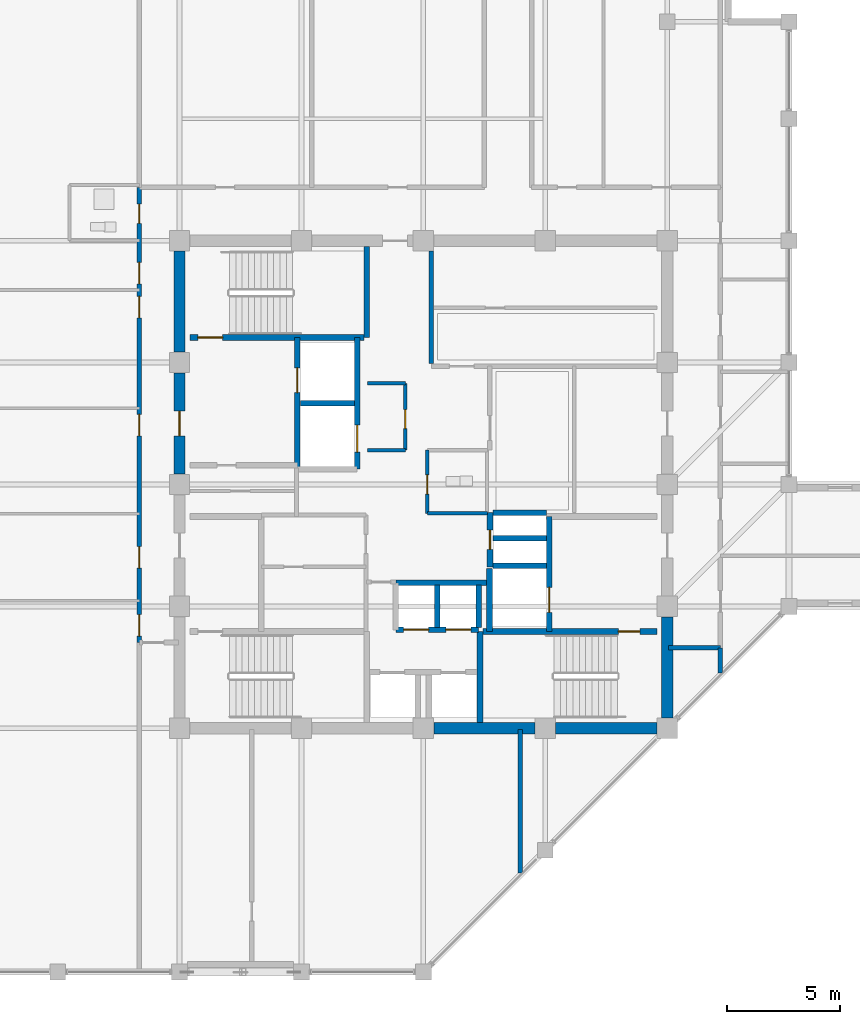
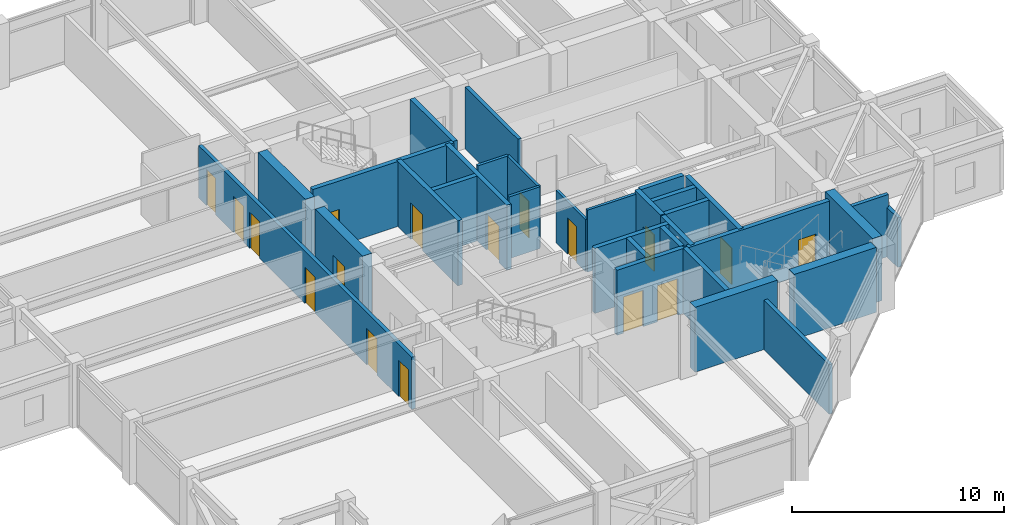
# One storey, part 26 of 31: 32 walls, 17 doors, 17 openings.
"""IFC4 building model written with IfcOpenShell, lengths in metres."""

import ifcopenshell
import ifcopenshell.guid

model = None  # the IFC model being written
_history = None  # IfcOwnerHistory: only IFC2X3 demands one
_inside = {}  # id of a spatial element -> (the spatial element, [elements in it])
_under = {}  # id of a project, library or spatial element -> (it, [spatial elements below it])
_declared = {}  # id of a project -> (the project, [libraries it declares])
_typed = {}  # id of a type object -> (the type object, [elements of that type])
_made_of = {}  # id of a material, layer set ... -> (it, [elements and type objects made of it])


def new_model(schema):
    """Start an empty IFC model of exactly this schema.

    Asked for "IFC4X3", IfcOpenShell would pick the latest addendum, in which some entities
    have other attributes; the version numbers below select the first issue.
    IFC2X3 requires an IfcOwnerHistory on every rooted entity: one is made here for all.
    """
    global model, _history
    if schema == "IFC4X3":
        model = ifcopenshell.file(schema_version=(4, 3, 0, 0))
    else:
        model = ifcopenshell.file(schema=schema)
    _inside.clear()
    _under.clear()
    _declared.clear()
    _typed.clear()
    _made_of.clear()
    _history = None
    if model.schema == "IFC2X3":
        org = make("IfcOrganization", Name="unknown")
        user = make(
            "IfcPersonAndOrganization",
            ThePerson=make("IfcPerson", FamilyName="unknown"),
            TheOrganization=org,
        )
        app = make(
            "IfcApplication",
            ApplicationDeveloper=org,
            Version="unknown",
            ApplicationFullName="unknown",
            ApplicationIdentifier="unknown",
        )
        _history = make(
            "IfcOwnerHistory",
            OwningUser=user,
            OwningApplication=app,
            ChangeAction="ADDED",
            CreationDate=0,
        )
    return model


def make(cls, **values):
    """One entity of the class cls with the attributes given. An attribute that is None is left unset."""
    return model.create_entity(
        cls, **{name: value for name, value in values.items() if value is not None}
    )


def rooted(cls, **values):
    """An entity with a GlobalId (a new one), such as an element, a storey or a relation."""
    return make(cls, GlobalId=ifcopenshell.guid.new(), OwnerHistory=_history, **values)


def si_unit(unit_type, name, prefix=None):
    """IfcSIUnit, for example si_unit("LENGTHUNIT", "METRE", prefix="MILLI")."""
    return make("IfcSIUnit", UnitType=unit_type, Prefix=prefix, Name=name)


def assignment(units):
    """IfcUnitAssignment: the units of a project."""
    return None if units is None else make("IfcUnitAssignment", Units=units)


def point(xyz):
    """IfcCartesianPoint."""
    return None if xyz is None else make("IfcCartesianPoint", Coordinates=xyz)


def direction(xyz):
    """IfcDirection."""
    return None if xyz is None else make("IfcDirection", DirectionRatios=xyz)


def frame(location, z_axis=None, x_axis=None):
    """IfcAxis2Placement3D, a coordinate frame: its origin and axes. An axis left out is left unset."""
    return make(
        "IfcAxis2Placement3D",
        Location=point(location),
        Axis=direction(z_axis),
        RefDirection=direction(x_axis),
    )


def frame_2d(location, x_axis=None):
    """IfcAxis2Placement2D, a coordinate frame in the plane: its origin and x axis."""
    return make(
        "IfcAxis2Placement2D", Location=point(location), RefDirection=direction(x_axis)
    )


def origin():
    """The frame at (0, 0, 0) with its axes left unset."""
    return frame((0.0, 0.0, 0.0))


def place(relative_to, where):
    """IfcLocalPlacement: puts the frame where relative to a parent placement (None: the world)."""
    return make(
        "IfcLocalPlacement", PlacementRelTo=relative_to, RelativePlacement=where
    )


def context(
    kind, dimensions, precision=None, world=None, true_north=None, identifier=None
):
    """IfcGeometricRepresentationContext, for example the 3D "Model" context."""
    return make(
        "IfcGeometricRepresentationContext",
        ContextIdentifier=identifier,
        ContextType=kind,
        CoordinateSpaceDimension=dimensions,
        Precision=precision,
        WorldCoordinateSystem=world,
        TrueNorth=true_north,
    )


def subcontext(parent, identifier, kind, view, scale=None):
    """IfcGeometricRepresentationSubContext, for example "Body" below "Model"."""
    return make(
        "IfcGeometricRepresentationSubContext",
        ContextIdentifier=identifier,
        ContextType=kind,
        ParentContext=parent,
        TargetScale=scale,
        TargetView=view,
    )


def project(units=None, contexts=None):
    """IfcProject with its units and contexts."""
    return rooted(
        "IfcProject",
        Name="project",
        RepresentationContexts=contexts,
        UnitsInContext=assignment(units),
    )


def spatial(cls, under=None, at=None, **own):
    """A site, building, storey or space (cls), placed at a placement, below another one or the project."""
    s = rooted(cls, ObjectPlacement=at, **own)
    if under is not None:
        _under.setdefault(under.id(), (under, []))[1].append(s)
    return s


def profile(cls, at=None, kind="AREA", **sizes):
    """A parametric profile (cls). Its sizes go by their IFC names, for example OverallWidth=200.0."""
    return make(cls, ProfileType=kind, Position=at, **sizes)


def rectangle(**sizes):
    """IfcRectangleProfileDef."""
    return profile("IfcRectangleProfileDef", **sizes)


def extrude(swept, where, along, depth):
    """IfcExtrudedAreaSolid: the profile swept, set in the frame where, extruded along a direction by depth."""
    return make(
        "IfcExtrudedAreaSolid",
        SweptArea=swept,
        Position=where,
        ExtrudedDirection=direction(along),
        Depth=depth,
    )


def shape(context_of_items, identifier, shape_type, items):
    """IfcShapeRepresentation: the items that make up one representation, for example the "Body"."""
    return make(
        "IfcShapeRepresentation",
        ContextOfItems=context_of_items,
        RepresentationIdentifier=identifier,
        RepresentationType=shape_type,
        Items=items,
    )


def material(Name=None, Category=None):
    """IfcMaterial."""
    return make("IfcMaterial", Name=Name, Category=Category)


def layer(
    of_material, thickness, ventilated=None, Name=None, Category=None, Priority=None
):
    """IfcMaterialLayer: one layer of a wall or slab, of a material (None: an air gap)."""
    return make(
        "IfcMaterialLayer",
        Material=of_material,
        LayerThickness=thickness,
        IsVentilated=ventilated,
        Name=Name,
        Category=Category,
        Priority=Priority,
    )


def layer_set(layers, Name=None):
    """IfcMaterialLayerSet."""
    return make("IfcMaterialLayerSet", MaterialLayers=layers, LayerSetName=Name)


def made_of(thing, what):
    """Note that an element or type object is made of a material, layer set ...; save() writes the relation."""
    if what is not None:
        _made_of.setdefault(what.id(), (what, []))[1].append(thing)
    return thing


def type_object(cls, material=None, **own):
    """A type object (cls), such as IfcWallType, which elements share."""
    return made_of(rooted(cls, **own), material)


def element(
    cls,
    number,
    at=None,
    inside=None,
    cuts=None,
    type_object=None,
    material=None,
    context=None,
    identifier="Body",
    shape_type=None,
    held_by="IfcProductDefinitionShape",
    body=None,
    shapes=None,
    **own,
):
    """One element of the class cls, such as IfcWall. Its Tag is "e" and its number.

    at: its placement. inside: the storey or other place that contains it. cuts: it is an
    opening in that element (IfcRelVoidsElement). A single representation is given by context,
    identifier, shape_type and body (its items); several are given by shapes. held_by: the class
    of the entity that holds the representations. save() writes the other relations.
    """
    e = rooted(cls, Tag="e%d" % number, ObjectPlacement=at, **own)
    if body is not None:
        shapes = [shape(context, identifier, shape_type, body)]
    if shapes is not None:
        e.Representation = make(held_by, Representations=shapes)
    if inside is not None:
        _inside.setdefault(inside.id(), (inside, []))[1].append(e)
    if cuts is not None:
        rooted(
            "IfcRelVoidsElement", RelatingBuildingElement=cuts, RelatedOpeningElement=e
        )
    if type_object is not None:
        _typed.setdefault(type_object.id(), (type_object, []))[1].append(e)
    return made_of(e, material)


def fill(opening, filler):
    """IfcRelFillsElement: the door or window that sits in an opening."""
    return rooted(
        "IfcRelFillsElement",
        RelatingOpeningElement=opening,
        RelatedBuildingElement=filler,
    )


def aggregate(whole, parts):
    """IfcRelAggregates: a whole, such as a stair, and the parts it consists of."""
    return rooted("IfcRelAggregates", RelatingObject=whole, RelatedObjects=parts)


def save(model, path):
    """Write the relations noted so far, then the file.

    IfcRelAggregates (storeys below a building ...), IfcRelContainedInSpatialStructure (elements
    in a storey), IfcRelDefinesByType, IfcRelAssociatesMaterial and IfcRelDeclares: one each for
    every whole, place, type object, material and project.
    """
    for whole, parts in _under.values():
        aggregate(whole, parts)
    for where, things in _inside.values():
        rooted(
            "IfcRelContainedInSpatialStructure",
            RelatedElements=things,
            RelatingStructure=where,
        )
    for kind, things in _typed.values():
        rooted("IfcRelDefinesByType", RelatedObjects=things, RelatingType=kind)
    for what, things in _made_of.values():
        rooted("IfcRelAssociatesMaterial", RelatedObjects=things, RelatingMaterial=what)
    for by, libraries in _declared.values():
        rooted("IfcRelDeclares", RelatingContext=by, RelatedDefinitions=libraries)
    model.write(path)


model = new_model("IFC4")

# Units and contexts
model_context = context("Model", 3, precision=1e-05, world=origin(), true_north=direction((0.0, 1.0)))
body_context = subcontext(model_context, "Body", "Model", "MODEL_VIEW")
ifc_project = project(units=[si_unit("LENGTHUNIT", "METRE"), si_unit("AREAUNIT", "SQUARE_METRE"), si_unit("VOLUMEUNIT", "CUBIC_METRE"), si_unit("PLANEANGLEUNIT", "RADIAN"), si_unit("MASSUNIT", "GRAM", prefix="KILO")], contexts=[model_context])

# Site, building, storey
site_placement = place(None, origin())
site = spatial("IfcSite", under=ifc_project, at=site_placement, CompositionType="ELEMENT")
building_placement = place(site_placement, origin())
building = spatial("IfcBuilding", under=site, at=building_placement, Name="Surkhivell Harbour Commons", CompositionType="ELEMENT")
storey_placement = place(building_placement, frame((0.0, 0.0, 322.5)))
storey = spatial("IfcBuildingStorey", under=building, at=storey_placement, Name="L84", CompositionType="ELEMENT", Elevation=322.5)

# Walls
ifc_material_1 = material(Name="Concrete C50/60", Category="concrete")
ifc_layer_1 = layer(ifc_material_1, 0.5)
ifc_layer_set_1 = layer_set([ifc_layer_1], Name="Concrete C50/60")
wall_type_1 = type_object("IfcWallType", Name="WAL-CORE-500", PredefinedType="SHEAR", material=ifc_layer_set_1)
for number, where, z_axis, x_axis, name in (
    (1, (10.800048828125, -10.340087890625, 0.0), (0.0, 0.0, 1.0), (0.0, 1.0, 0.0), "L84 Core Shear Wall East 1"),
    (2, (0.4599609375, -10.800048828125, 0.0), (0.0, 0.0, 1.0), (1.0, 0.0, 0.0), "L84 Core Shear Wall South 3"),
):
    element("IfcWall", number, at=place(storey_placement, frame(where, z_axis=z_axis, x_axis=x_axis)), inside=storey, type_object=wall_type_1, Name=name, PredefinedType="SHEAR", context=body_context, shape_type="SweptSolid", body=[
        extrude(rectangle(XDim=4.47998046875, YDim=0.5, at=frame_2d((2.239990234375, 0.0))), origin(), (0.0, 0.0, 1.0), 3.75),
    ])

# Wall, opening, door
wall_1_placement = place(storey_placement, frame((-10.800048828125, 0.4599609375, 0.0), z_axis=(0.0, 0.0, 1.0), x_axis=(0.0, 1.0, 0.0)))
wall_1 = element("IfcWall", 3, at=wall_1_placement, inside=storey, type_object=wall_type_1, Name="L84 Core Shear Wall West 3", PredefinedType="SHEAR", context=body_context, shape_type="SweptSolid", body=[
    extrude(rectangle(XDim=4.47998046875, YDim=0.5, at=frame_2d((2.239990234375, 0.0))), origin(), (0.0, 0.0, 1.0), 3.75),
])
opening_1_placement = place(wall_1_placement, frame((1.68994140625, 0.0, 0.0)))
opening_1 = element("IfcOpeningElement", 4, at=opening_1_placement, cuts=wall_1, Name="Opening ID-1", PredefinedType="OPENING", context=body_context, shape_type="SweptSolid", body=[
    extrude(rectangle(XDim=1.10009765625, YDim=2.10009765625, at=frame_2d((0.550048828125, 1.050048828125))), frame((0.0, 0.260009765625, 0.0), z_axis=(0.0, -1.0, 0.0), x_axis=(1.0, 0.0, 0.0)), (0.0, 0.0, 1.0), 0.52001953125),
])
ifc_material_2 = material(Name="Hardwood-veneered fire-rated door leaf", Category="wood")
door_type_1 = type_object("IfcDoorType", Name="DOR-FD120-1100", OperationType="NOTDEFINED", PredefinedType="DOOR", material=ifc_material_2)
door_1_placement = place(opening_1_placement, origin())
door_1 = element("IfcDoor", 5, at=door_1_placement, inside=storey, type_object=door_type_1, Name="L84 Firefighting Lobby 1 Corridor Door", OperationType="SINGLE_SWING_LEFT", OverallHeight=2.10009765625, OverallWidth=1.10009765625, PredefinedType="DOOR", context=body_context, shape_type="SweptSolid", body=[
    extrude(rectangle(XDim=1.10009765625, YDim=2.10009765625, at=frame_2d((0.550048828125, 1.050048828125))), frame((0.0, 0.02490234375, 0.0), z_axis=(0.0, -1.0, 0.0), x_axis=(1.0, 0.0, 0.0)), (0.0, 0.0, 1.0), 0.050048828125),
])
fill(opening_1, door_1)

# Walls
for number, where, z_axis, x_axis, name in (
    (6, (5.860107421875, -10.800048828125, 0.0), (0.0, 0.0, 1.0), (1.0, 0.0, 0.0), "L84 Core Shear Wall South 4"),
    (7, (-10.800048828125, 5.860107421875, 0.0), (0.0, 0.0, 1.0), (0.0, 1.0, 0.0), "L84 Core Shear Wall West 4"),
):
    element("IfcWall", number, at=place(storey_placement, frame(where, z_axis=z_axis, x_axis=x_axis)), inside=storey, type_object=wall_type_1, Name=name, PredefinedType="SHEAR", context=body_context, shape_type="SweptSolid", body=[
        extrude(rectangle(XDim=4.47998046875, YDim=0.5, at=frame_2d((2.239990234375, 0.0))), origin(), (0.0, 0.0, 1.0), 3.75),
    ])
ifc_material_3 = material(Name="Twin-stud acoustic fireboard partition", Category="other")
ifc_layer_2 = layer(ifc_material_3, 0.14990234375)
ifc_layer_set_2 = layer_set([ifc_layer_2], Name="Twin-stud acoustic fireboard partition")
wall_type_2 = type_object("IfcWallType", Name="WAL-INT-150", PredefinedType="PARTITIONING", material=ifc_layer_set_2)
wall_2_placement = place(storey_placement, frame((0.179931640625, -1.280029296875, 0.0), z_axis=(0.0, 0.0, 1.0), x_axis=(1.0, 0.0, 0.0)))
element("IfcWall", 8, at=wall_2_placement, inside=storey, type_object=wall_type_2, Name="L84 Core WC South Wall", PredefinedType="PARTITIONING", context=body_context, shape_type="SweptSolid", body=[
    extrude(rectangle(XDim=2.670166015625, YDim=0.14990234375, at=frame_2d((1.3349609375, 0.0))), origin(), (0.0, 0.0, 1.0), 3.570068359375),
])

# Wall, opening, door
wall_3_placement = place(storey_placement, frame((0.179931640625, -1.280029296875, 0.0), z_axis=(0.0, 0.0, 1.0), x_axis=(0.0, 1.0, 0.0)))
wall_3 = element("IfcWall", 9, at=wall_3_placement, inside=storey, type_object=wall_type_2, Name="L84 Core Accessible WC West Wall", PredefinedType="PARTITIONING", context=body_context, shape_type="SweptSolid", body=[
    extrude(rectangle(XDim=2.800048828125, YDim=0.14990234375, at=frame_2d((1.39990234375, 0.0))), origin(), (0.0, 0.0, 1.0), 3.012939453125),
])
opening_2_placement = place(wall_3_placement, frame((0.85009765625, 0.0, 0.0)))
opening_2 = element("IfcOpeningElement", 10, at=opening_2_placement, cuts=wall_3, Name="Opening ID-6", PredefinedType="OPENING", context=body_context, shape_type="SweptSolid", body=[
    extrude(rectangle(XDim=0.85009765625, YDim=2.10009765625, at=frame_2d((0.425048828125, 1.050048828125))), frame((0.0, 0.0849609375, 0.0), z_axis=(0.0, -1.0, 0.0), x_axis=(1.0, 0.0, 0.0)), (0.0, 0.0, 1.0), 0.169921875),
])
door_type_2 = type_object("IfcDoorType", Name="DOR-FD30-850", OperationType="NOTDEFINED", PredefinedType="DOOR", material=ifc_material_2)
door_2_placement = place(opening_2_placement, origin())
door_2 = element("IfcDoor", 11, at=door_2_placement, inside=storey, type_object=door_type_2, Name="L84 Floor Accessible WC Door", OperationType="SINGLE_SWING_RIGHT", OverallHeight=2.10009765625, OverallWidth=0.85009765625, PredefinedType="DOOR", context=body_context, shape_type="SweptSolid", body=[
    extrude(rectangle(XDim=0.85009765625, YDim=2.10009765625, at=frame_2d((0.425048828125, 1.050048828125))), frame((0.0, 0.02490234375, 0.0), z_axis=(0.0, -1.0, 0.0), x_axis=(1.0, 0.0, 0.0)), (0.0, 0.0, 1.0), 0.050048828125),
])
fill(opening_2, door_2)

wall_4_placement = place(storey_placement, frame((-0.800048828125, 1.52001953125, 0.0), z_axis=(0.0, 0.0, 1.0), x_axis=(0.0, 1.0, 0.0)))
wall_4 = element("IfcWall", 12, at=wall_4_placement, inside=storey, type_object=wall_type_2, Name="L84 Core Seminar East Wall", PredefinedType="PARTITIONING", context=body_context, shape_type="SweptSolid", body=[
    extrude(rectangle(XDim=2.9599609375, YDim=0.14990234375, at=frame_2d((1.47998046875, 0.0))), origin(), (0.0, 0.0, 1.0), 3.570068359375),
])
opening_3_placement = place(wall_4_placement, frame((0.949951171875, 0.0, 0.0)))
opening_3 = element("IfcOpeningElement", 13, at=opening_3_placement, cuts=wall_4, Name="Opening ID-6", PredefinedType="OPENING", context=body_context, shape_type="SweptSolid", body=[
    extrude(rectangle(XDim=0.85009765625, YDim=2.10009765625, at=frame_2d((0.425048828125, 1.050048828125))), frame((0.0, 0.0849609375, 0.0), z_axis=(0.0, -1.0, 0.0), x_axis=(1.0, 0.0, 0.0)), (0.0, 0.0, 1.0), 0.169921875),
])
door_3_placement = place(opening_3_placement, origin())
door_3 = element("IfcDoor", 14, at=door_3_placement, inside=storey, type_object=door_type_2, Name="L84 Central Seminar Door", OperationType="SINGLE_SWING_LEFT", OverallHeight=2.10009765625, OverallWidth=0.85009765625, PredefinedType="DOOR", context=body_context, shape_type="SweptSolid", body=[
    extrude(rectangle(XDim=0.85009765625, YDim=2.10009765625, at=frame_2d((0.425048828125, 1.050048828125))), frame((0.0, 0.02490234375, 0.0), z_axis=(0.0, -1.0, 0.0), x_axis=(1.0, 0.0, 0.0)), (0.0, 0.0, 1.0), 0.050048828125),
])
fill(opening_3, door_3)

# Walls
for number, where, z_axis, x_axis, name in (
    (15, (-2.47998046875, 4.47998046875, 0.0), (0.0, 0.0, 1.0), (1.0, 0.0, 0.0), "L84 Core Seminar North Wall"),
    (16, (-2.47998046875, 1.52001953125, 0.0), (0.0, 0.0, 1.0), (1.0, 0.0, 0.0), "L84 Core Seminar South Wall"),
):
    element("IfcWall", number, at=place(storey_placement, frame(where, z_axis=z_axis, x_axis=x_axis)), inside=storey, type_object=wall_type_2, Name=name, PredefinedType="PARTITIONING", context=body_context, shape_type="SweptSolid", body=[
        extrude(rectangle(XDim=1.679931640625, YDim=0.14990234375, at=frame_2d((0.83984375, 0.0))), origin(), (0.0, 0.0, 1.0), 3.570068359375),
    ])
ifc_material_4 = material(Name="Autoclaved aerated concrete blockwork and fire plaster", Category="masonry")
ifc_layer_3 = layer(ifc_material_4, 0.199951171875)
ifc_layer_set_3 = layer_set([ifc_layer_3], Name="Autoclaved aerated concrete blockwork and fire plaster")
wall_type_3 = type_object("IfcWallType", Name="WAL-INT-200", PredefinedType="PARTITIONING", material=ifc_layer_set_3)
wall_5_placement = place(storey_placement, frame((0.35009765625, 5.360107421875, 0.0), z_axis=(0.0, 0.0, 1.0), x_axis=(0.0, 1.0, 0.0)))
element("IfcWall", 17, at=wall_5_placement, inside=storey, type_object=wall_type_3, Name="L84 Reclaimed Core North Bay West Wall", PredefinedType="PARTITIONING", context=body_context, shape_type="SweptSolid", body=[
    extrude(rectangle(XDim=4.97998046875, YDim=0.199951171875, at=frame_2d((2.489990234375, 0.0))), origin(), (0.0, 0.0, 1.0), 3.570068359375),
])
wall_6_placement = place(storey_placement, frame((13.159912109375, -8.355224609375, 0.0), z_axis=(0.0, 0.0, 1.0), x_axis=(0.0, 1.0, 0.0)))
element("IfcWall", 18, at=wall_6_placement, inside=storey, type_object=wall_type_3, Name="L84 East Wing South Closure Wall", PredefinedType="PARTITIONING", context=body_context, shape_type="SweptSolid", body=[
    extrude(rectangle(XDim=1.115234375, YDim=0.199951171875, at=frame_2d((0.5576171875, 0.0))), origin(), (0.0, 0.0, 1.0), 2.85693359375),
])
wall_7_placement = place(storey_placement, frame((10.85009765625, -7.239990234375, 0.0), z_axis=(0.0, 0.0, 1.0), x_axis=(1.0, 0.0, 0.0)))
element("IfcWall", 19, at=wall_7_placement, inside=storey, type_object=wall_type_3, Name="L84 East Corridor South Closure Wall", PredefinedType="PARTITIONING", context=body_context, shape_type="SweptSolid", body=[
    extrude(rectangle(XDim=2.309814453125, YDim=0.199951171875, at=frame_2d((1.15478515625, 0.0))), origin(), (0.0, 0.0, 1.0), 3.570068359375),
])
wall_8_placement = place(storey_placement, frame((4.300048828125, -17.215087890625, 0.0), z_axis=(0.0, 0.0, 1.0), x_axis=(0.0, 1.0, 0.0)))
element("IfcWall", 20, at=wall_8_placement, inside=storey, type_object=wall_type_3, Name="L84 South Hall East Wall", PredefinedType="PARTITIONING", context=body_context, shape_type="SweptSolid", body=[
    extrude(rectangle(XDim=6.364990234375, YDim=0.199951171875, at=frame_2d((3.1826171875, 0.0))), origin(), (0.0, 0.0, 1.0), 2.85693359375),
])

# Wall, openings, doors
wall_9_placement = place(storey_placement, frame((-12.580078125, -7.0, 0.0), z_axis=(0.0, 0.0, 1.0), x_axis=(0.0, 1.0, 0.0)))
wall_9 = element("IfcWall", 21, at=wall_9_placement, inside=storey, type_object=wall_type_3, Name="L84 West Corridor Wall", PredefinedType="PARTITIONING", context=body_context, shape_type="SweptSolid", body=[
    extrude(rectangle(XDim=20.159912109375, YDim=0.199951171875, at=frame_2d((10.080078125, 0.0))), origin(), (0.0, 0.0, 1.0), 3.012939453125),
])
opening_4_placement = place(wall_9_placement, frame((0.280029296875, 0.0, 0.0)))
opening_4 = element("IfcOpeningElement", 22, at=opening_4_placement, cuts=wall_9, Name="Opening ID-4", PredefinedType="OPENING", context=body_context, shape_type="SweptSolid", body=[
    extrude(rectangle(XDim=0.949951171875, YDim=2.10009765625, at=frame_2d((0.47509765625, 1.050048828125))), frame((0.0, 0.10986328125, 0.0), z_axis=(0.0, -1.0, 0.0), x_axis=(1.0, 0.0, 0.0)), (0.0, 0.0, 1.0), 0.219970703125),
])
opening_5_placement = place(wall_9_placement, frame((18.56494140625, 0.0, 0.0)))
opening_5 = element("IfcOpeningElement", 23, at=opening_5_placement, cuts=wall_9, Name="Opening ID-6", PredefinedType="OPENING", context=body_context, shape_type="SweptSolid", body=[
    extrude(rectangle(XDim=0.85009765625, YDim=2.10009765625, at=frame_2d((0.425048828125, 1.050048828125))), frame((0.0, 0.10986328125, 0.0), z_axis=(0.0, -1.0, 0.0), x_axis=(1.0, 0.0, 0.0)), (0.0, 0.0, 1.0), 0.219970703125),
])
opening_6_placement = place(wall_9_placement, frame((15.889892578125, 0.0, 0.0)))
opening_6 = element("IfcOpeningElement", 24, at=opening_6_placement, cuts=wall_9, Name="Opening ID-4", PredefinedType="OPENING", context=body_context, shape_type="SweptSolid", body=[
    extrude(rectangle(XDim=0.949951171875, YDim=2.10009765625, at=frame_2d((0.47509765625, 1.050048828125))), frame((0.0, 0.10986328125, 0.0), z_axis=(0.0, -1.0, 0.0), x_axis=(1.0, 0.0, 0.0)), (0.0, 0.0, 1.0), 0.219970703125),
])
opening_7_placement = place(wall_9_placement, frame((3.294921875, 0.0, 0.0)))
opening_7 = element("IfcOpeningElement", 25, at=opening_7_placement, cuts=wall_9, Name="Opening ID-4", PredefinedType="OPENING", context=body_context, shape_type="SweptSolid", body=[
    extrude(rectangle(XDim=0.949951171875, YDim=2.10009765625, at=frame_2d((0.47509765625, 1.050048828125))), frame((0.0, 0.10986328125, 0.0), z_axis=(0.0, -1.0, 0.0), x_axis=(1.0, 0.0, 0.0)), (0.0, 0.0, 1.0), 0.219970703125),
])
opening_8_placement = place(wall_9_placement, frame((9.14990234375, 0.0, 0.0)))
opening_8 = element("IfcOpeningElement", 26, at=opening_8_placement, cuts=wall_9, Name="Opening ID-4", PredefinedType="OPENING", context=body_context, shape_type="SweptSolid", body=[
    extrude(rectangle(XDim=0.949951171875, YDim=2.10009765625, at=frame_2d((0.47509765625, 1.050048828125))), frame((0.0, 0.10986328125, 0.0), z_axis=(0.0, -1.0, 0.0), x_axis=(1.0, 0.0, 0.0)), (0.0, 0.0, 1.0), 0.219970703125),
])
opening_9_placement = place(wall_9_placement, frame((14.3798828125, 0.0, 0.0)))
opening_9 = element("IfcOpeningElement", 27, at=opening_9_placement, cuts=wall_9, Name="Opening ID-4", PredefinedType="OPENING", context=body_context, shape_type="SweptSolid", body=[
    extrude(rectangle(XDim=0.949951171875, YDim=2.10009765625, at=frame_2d((0.47509765625, 1.050048828125))), frame((0.0, 0.10986328125, 0.0), z_axis=(0.0, -1.0, 0.0), x_axis=(1.0, 0.0, 0.0)), (0.0, 0.0, 1.0), 0.219970703125),
])
door_4_placement = place(opening_5_placement, origin())
door_4 = element("IfcDoor", 28, at=door_4_placement, inside=storey, type_object=door_type_2, Name="L84 Communal Shower Bathroom West Door", OperationType="SINGLE_SWING_LEFT", OverallHeight=2.10009765625, OverallWidth=0.85009765625, PredefinedType="DOOR", context=body_context, shape_type="SweptSolid", body=[
    extrude(rectangle(XDim=0.85009765625, YDim=2.10009765625, at=frame_2d((0.425048828125, 1.050048828125))), frame((0.0, 0.02490234375, 0.0), z_axis=(0.0, -1.0, 0.0), x_axis=(1.0, 0.0, 0.0)), (0.0, 0.0, 1.0), 0.050048828125),
])
fill(opening_5, door_4)
door_type_3 = type_object("IfcDoorType", Name="DOR-FD60-950", OperationType="NOTDEFINED", PredefinedType="DOOR", material=ifc_material_2)
door_5_placement = place(opening_4_placement, origin())
door_5 = element("IfcDoor", 29, at=door_5_placement, inside=storey, type_object=door_type_3, Name="L84 Shared Communal Kitchen West Door", OperationType="SINGLE_SWING_RIGHT", OverallHeight=2.10009765625, OverallWidth=0.949951171875, PredefinedType="DOOR", context=body_context, shape_type="SweptSolid", body=[
    extrude(rectangle(XDim=0.949951171875, YDim=2.10009765625, at=frame_2d((0.47509765625, 1.050048828125))), frame((0.0, 0.02490234375, 0.0), z_axis=(0.0, -1.0, 0.0), x_axis=(1.0, 0.0, 0.0)), (0.0, 0.0, 1.0), 0.050048828125),
])
fill(opening_4, door_5)
door_6_placement = place(opening_6_placement, origin())
door_6 = element("IfcDoor", 30, at=door_6_placement, inside=storey, type_object=door_type_3, Name="L84 Academic Reading Commons West Door", OperationType="SINGLE_SWING_RIGHT", OverallHeight=2.10009765625, OverallWidth=0.949951171875, PredefinedType="DOOR", context=body_context, shape_type="SweptSolid", body=[
    extrude(rectangle(XDim=0.949951171875, YDim=2.10009765625, at=frame_2d((0.47509765625, 1.050048828125))), frame((0.0, 0.02490234375, 0.0), z_axis=(0.0, -1.0, 0.0), x_axis=(1.0, 0.0, 0.0)), (0.0, 0.0, 1.0), 0.050048828125),
])
fill(opening_6, door_6)
door_7_placement = place(opening_7_placement, origin())
door_7 = element("IfcDoor", 31, at=door_7_placement, inside=storey, type_object=door_type_3, Name="L84 Hostel Cluster Bedroom 1 West Door", OperationType="SINGLE_SWING_LEFT", OverallHeight=2.10009765625, OverallWidth=0.949951171875, PredefinedType="DOOR", context=body_context, shape_type="SweptSolid", body=[
    extrude(rectangle(XDim=0.949951171875, YDim=2.10009765625, at=frame_2d((0.47509765625, 1.050048828125))), frame((0.0, 0.02490234375, 0.0), z_axis=(0.0, -1.0, 0.0), x_axis=(1.0, 0.0, 0.0)), (0.0, 0.0, 1.0), 0.050048828125),
])
fill(opening_7, door_7)
door_8_placement = place(opening_8_placement, origin())
door_8 = element("IfcDoor", 32, at=door_8_placement, inside=storey, type_object=door_type_3, Name="L84 Co-Living Dormitory Bedroom 2 West Door", OperationType="SINGLE_SWING_RIGHT", OverallHeight=2.10009765625, OverallWidth=0.949951171875, PredefinedType="DOOR", context=body_context, shape_type="SweptSolid", body=[
    extrude(rectangle(XDim=0.949951171875, YDim=2.10009765625, at=frame_2d((0.47509765625, 1.050048828125))), frame((0.0, 0.02490234375, 0.0), z_axis=(0.0, -1.0, 0.0), x_axis=(1.0, 0.0, 0.0)), (0.0, 0.0, 1.0), 0.050048828125),
])
fill(opening_8, door_8)
door_9_placement = place(opening_9_placement, origin())
door_9 = element("IfcDoor", 33, at=door_9_placement, inside=storey, type_object=door_type_3, Name="L84 Hostel Cluster Bedroom 3 West Door", OperationType="SINGLE_SWING_LEFT", OverallHeight=2.10009765625, OverallWidth=0.949951171875, PredefinedType="DOOR", context=body_context, shape_type="SweptSolid", body=[
    extrude(rectangle(XDim=0.949951171875, YDim=2.10009765625, at=frame_2d((0.47509765625, 1.050048828125))), frame((0.0, 0.02490234375, 0.0), z_axis=(0.0, -1.0, 0.0), x_axis=(1.0, 0.0, 0.0)), (0.0, 0.0, 1.0), 0.050048828125),
])
fill(opening_9, door_9)

# Wall, opening, door
ifc_layer_4 = layer(ifc_material_1, 0.25)
ifc_layer_set_4 = layer_set([ifc_layer_4], Name="Concrete C50/60")
wall_type_4 = type_object("IfcWallType", Name="WAL-SHAFT-250", PredefinedType="SHEAR", material=ifc_layer_set_4)
wall_10_placement = place(storey_placement, frame((-5.580078125, 0.719970703125, 0.0), z_axis=(0.0, 0.0, 1.0), x_axis=(0.0, 1.0, 0.0)))
wall_10 = element("IfcWall", 34, at=wall_10_placement, inside=storey, type_object=wall_type_4, Name="L84 Firefighting Lobby 1 East Shaft Wall", PredefinedType="SHEAR", context=body_context, shape_type="SweptSolid", body=[
    extrude(rectangle(XDim=5.7900390625, YDim=0.25, at=frame_2d((2.89501953125, 0.0))), origin(), (0.0, 0.0, 1.0), 3.75),
])
opening_10_placement = place(wall_10_placement, frame((3.35009765625, 0.0, 0.0)))
opening_10 = element("IfcOpeningElement", 35, at=opening_10_placement, cuts=wall_10, Name="Opening LD-1", PredefinedType="OPENING", context=body_context, shape_type="SweptSolid", body=[
    extrude(rectangle(XDim=1.10009765625, YDim=2.10009765625, at=frame_2d((0.550048828125, 1.050048828125))), frame((0.0, 0.135009765625, 0.0), z_axis=(0.0, -1.0, 0.0), x_axis=(1.0, 0.0, 0.0)), (0.0, 0.0, 1.0), 0.27001953125),
])
ifc_material_5 = material(Name="Brushed stainless steel S355", Category="steel")
door_type_4 = type_object("IfcDoorType", Name="DOR-LD-1100", OperationType="SLIDING_TO_LEFT", PredefinedType="DOOR", material=ifc_material_5)
door_10_placement = place(opening_10_placement, origin())
door_10 = element("IfcDoor", 36, at=door_10_placement, inside=storey, type_object=door_type_4, Name="L84 Lift Landing Door LD-FFL1", OperationType="SLIDING_TO_LEFT", OverallHeight=2.10009765625, OverallWidth=1.10009765625, PredefinedType="DOOR", context=body_context, shape_type="SweptSolid", body=[
    extrude(rectangle(XDim=1.10009765625, YDim=2.10009765625, at=frame_2d((0.550048828125, 1.050048828125))), frame((0.0, 0.02490234375, 0.0), z_axis=(0.0, -1.0, 0.0), x_axis=(1.0, 0.0, 0.0)), (0.0, 0.0, 1.0), 0.050048828125),
])
fill(opening_10, door_10)

# Walls
wall_11_placement = place(storey_placement, frame((2.929931640625, -6.510009765625, 0.0), z_axis=(0.0, 0.0, 1.0), x_axis=(0.0, 1.0, 0.0)))
element("IfcWall", 37, at=wall_11_placement, inside=storey, type_object=wall_type_4, Name="L84 FFL2 West Shaft Wall", PredefinedType="SHEAR", context=body_context, shape_type="SweptSolid", body=[
    extrude(rectangle(XDim=2.7900390625, YDim=0.25, at=frame_2d((1.39501953125, 0.0))), origin(), (0.0, 0.0, 1.0), 3.75),
])
wall_12_placement = place(storey_placement, frame((3.080078125, -3.60009765625, 0.0), z_axis=(0.0, 0.0, 1.0), x_axis=(1.0, 0.0, 0.0)))
element("IfcWall", 38, at=wall_12_placement, inside=storey, type_object=wall_type_4, Name="L84 FFL2 North Shaft Wall", PredefinedType="SHEAR", context=body_context, shape_type="SweptSolid", body=[
    extrude(rectangle(XDim=2.369873046875, YDim=0.25, at=frame_2d((1.18505859375, 0.0))), origin(), (0.0, 0.0, 1.0), 3.75),
])

# Wall, opening, door
wall_13_placement = place(storey_placement, frame((5.580078125, -6.510009765625, 0.0), z_axis=(0.0, 0.0, 1.0), x_axis=(0.0, 1.0, 0.0)))
wall_13 = element("IfcWall", 39, at=wall_13_placement, inside=storey, type_object=wall_type_4, Name="L84 Firefighting Lobby 2 West Shaft Wall", PredefinedType="SHEAR", context=body_context, shape_type="SweptSolid", body=[
    extrude(rectangle(XDim=5.090087890625, YDim=0.25, at=frame_2d((2.544921875, 0.0))), origin(), (0.0, 0.0, 1.0), 3.75),
])
opening_11_placement = place(wall_13_placement, frame((0.85009765625, 0.0, 0.0)))
opening_11 = element("IfcOpeningElement", 40, at=opening_11_placement, cuts=wall_13, Name="Opening LD-1", PredefinedType="OPENING", context=body_context, shape_type="SweptSolid", body=[
    extrude(rectangle(XDim=1.10009765625, YDim=2.10009765625, at=frame_2d((0.550048828125, 1.050048828125))), frame((0.0, 0.135009765625, 0.0), z_axis=(0.0, -1.0, 0.0), x_axis=(1.0, 0.0, 0.0)), (0.0, 0.0, 1.0), 0.27001953125),
])
door_11_placement = place(opening_11_placement, origin())
door_11 = element("IfcDoor", 41, at=door_11_placement, inside=storey, type_object=door_type_4, Name="L84 Lift Landing Door LD-FFL2", OperationType="SLIDING_TO_RIGHT", OverallHeight=2.10009765625, OverallWidth=1.10009765625, PredefinedType="DOOR", context=body_context, shape_type="SweptSolid", body=[
    extrude(rectangle(XDim=1.10009765625, YDim=2.10009765625, at=frame_2d((0.550048828125, 1.050048828125))), frame((0.0, 0.02490234375, 0.0), z_axis=(0.0, -1.0, 0.0), x_axis=(1.0, 0.0, 0.0)), (0.0, 0.0, 1.0), 0.050048828125),
])
fill(opening_11, door_11)

# Walls
for number, where, z_axis, x_axis, name in (
    (42, (0.6201171875, -6.340087890625, 0.0), (0.0, 0.0, 1.0), (0.0, 1.0, 0.0), "L84 High-Rise Side Wall N"),
    (43, (2.449951171875, -6.340087890625, 0.0), (0.0, 0.0, 1.0), (0.0, 1.0, 0.0), "L84 High-Rise Side Wall N"),
):
    element("IfcWall", number, at=place(storey_placement, frame(where, z_axis=z_axis, x_axis=x_axis)), inside=storey, type_object=wall_type_4, Name=name, PredefinedType="SHEAR", context=body_context, shape_type="SweptSolid", body=[
        extrude(rectangle(XDim=1.880126953125, YDim=0.25, at=frame_2d((0.93994140625, 0.0))), origin(), (0.0, 0.0, 1.0), 3.75),
    ])

# Wall, openings, doors
wall_14_placement = place(storey_placement, frame((-1.219970703125, -6.43994140625, 0.0), z_axis=(0.0, 0.0, 1.0), x_axis=(1.0, 0.0, 0.0)))
wall_14 = element("IfcWall", 44, at=wall_14_placement, inside=storey, type_object=wall_type_4, Name="L84 High-Rise North Front Shaft Wall", PredefinedType="SHEAR", context=body_context, shape_type="SweptSolid", body=[
    extrude(rectangle(XDim=3.669921875, YDim=0.25, at=frame_2d((1.8349609375, 0.0))), origin(), (0.0, 0.0, 1.0), 3.75),
])
opening_12_placement = place(wall_14_placement, frame((0.35009765625, 0.0, 0.0)))
opening_12 = element("IfcOpeningElement", 45, at=opening_12_placement, cuts=wall_14, Name="Opening LD-1", PredefinedType="OPENING", context=body_context, shape_type="SweptSolid", body=[
    extrude(rectangle(XDim=1.10009765625, YDim=2.10009765625, at=frame_2d((0.550048828125, 1.050048828125))), frame((0.0, 0.135009765625, 0.0), z_axis=(0.0, -1.0, 0.0), x_axis=(1.0, 0.0, 0.0)), (0.0, 0.0, 1.0), 0.27001953125),
])
opening_13_placement = place(wall_14_placement, frame((2.219970703125, 0.0, 0.0)))
opening_13 = element("IfcOpeningElement", 46, at=opening_13_placement, cuts=wall_14, Name="Opening LD-1", PredefinedType="OPENING", context=body_context, shape_type="SweptSolid", body=[
    extrude(rectangle(XDim=1.10009765625, YDim=2.10009765625, at=frame_2d((0.550048828125, 1.050048828125))), frame((0.0, 0.135009765625, 0.0), z_axis=(0.0, -1.0, 0.0), x_axis=(1.0, 0.0, 0.0)), (0.0, 0.0, 1.0), 0.27001953125),
])
door_12_placement = place(opening_12_placement, origin())
door_12 = element("IfcDoor", 47, at=door_12_placement, inside=storey, type_object=door_type_4, Name="L84 Lift Landing Door LD-PH1", OperationType="SLIDING_TO_LEFT", OverallHeight=2.10009765625, OverallWidth=1.10009765625, PredefinedType="DOOR", context=body_context, shape_type="SweptSolid", body=[
    extrude(rectangle(XDim=1.10009765625, YDim=2.10009765625, at=frame_2d((0.550048828125, 1.050048828125))), frame((0.0, 0.02490234375, 0.0), z_axis=(0.0, -1.0, 0.0), x_axis=(1.0, 0.0, 0.0)), (0.0, 0.0, 1.0), 0.050048828125),
])
fill(opening_12, door_12)
door_13_placement = place(opening_13_placement, origin())
door_13 = element("IfcDoor", 48, at=door_13_placement, inside=storey, type_object=door_type_4, Name="L84 Lift Landing Door LD-PH2", OperationType="SLIDING_TO_LEFT", OverallHeight=2.10009765625, OverallWidth=1.10009765625, PredefinedType="DOOR", context=body_context, shape_type="SweptSolid", body=[
    extrude(rectangle(XDim=1.10009765625, YDim=2.10009765625, at=frame_2d((0.550048828125, 1.050048828125))), frame((0.0, 0.02490234375, 0.0), z_axis=(0.0, -1.0, 0.0), x_axis=(1.0, 0.0, 0.0)), (0.0, 0.0, 1.0), 0.050048828125),
])
fill(opening_13, door_13)

# Walls
wall_15_placement = place(storey_placement, frame((-1.219970703125, -4.360107421875, 0.0), z_axis=(0.0, 0.0, 1.0), x_axis=(1.0, 0.0, 0.0)))
element("IfcWall", 49, at=wall_15_placement, inside=storey, type_object=wall_type_4, Name="L84 High-Rise North Back Shaft Wall", PredefinedType="SHEAR", context=body_context, shape_type="SweptSolid", body=[
    extrude(rectangle(XDim=4.030029296875, YDim=0.25, at=frame_2d((2.01513671875, 0.0))), origin(), (0.0, 0.0, 1.0), 3.75),
])
for number, where, z_axis, x_axis, name in (
    (50, (3.080078125, -2.3798828125, 0.0), (0.0, 0.0, 1.0), (1.0, 0.0, 0.0), "L84 Riser Divider Wall"),
    (51, (3.080078125, -1.25, 0.0), (0.0, 0.0, 1.0), (1.0, 0.0, 0.0), "L84 Riser North Wall"),
):
    element("IfcWall", number, at=place(storey_placement, frame(where, z_axis=z_axis, x_axis=x_axis)), inside=storey, type_object=wall_type_4, Name=name, PredefinedType="SHEAR", context=body_context, shape_type="SweptSolid", body=[
        extrude(rectangle(XDim=2.369873046875, YDim=0.25, at=frame_2d((1.18505859375, 0.0))), origin(), (0.0, 0.0, 1.0), 3.75),
    ])

# Wall, opening, door
wall_16_placement = place(storey_placement, frame((2.949951171875, -3.64990234375, 0.0), z_axis=(0.0, 0.0, 1.0), x_axis=(0.0, 1.0, 0.0)))
wall_16 = element("IfcWall", 52, at=wall_16_placement, inside=storey, type_object=wall_type_4, Name="L84 Riser Shaft West Wall", PredefinedType="SHEAR", context=body_context, shape_type="SweptSolid", body=[
    extrude(rectangle(XDim=2.39990234375, YDim=0.25, at=frame_2d((1.199951171875, 0.0))), origin(), (0.0, 0.0, 1.0), 3.75),
])
opening_14_placement = place(wall_16_placement, frame((0.77490234375, 0.0, 0.0)))
opening_14 = element("IfcOpeningElement", 53, at=opening_14_placement, cuts=wall_16, Name="Opening ID-6", PredefinedType="OPENING", context=body_context, shape_type="SweptSolid", body=[
    extrude(rectangle(XDim=0.85009765625, YDim=2.10009765625, at=frame_2d((0.425048828125, 1.050048828125))), frame((0.0, 0.135009765625, 0.0), z_axis=(0.0, -1.0, 0.0), x_axis=(1.0, 0.0, 0.0)), (0.0, 0.0, 1.0), 0.27001953125),
])
door_14_placement = place(opening_14_placement, origin())
door_14 = element("IfcDoor", 54, at=door_14_placement, inside=storey, type_object=door_type_2, Name="L84 Electrical Riser Access Door", OperationType="SINGLE_SWING_LEFT", OverallHeight=2.10009765625, OverallWidth=0.85009765625, PredefinedType="DOOR", context=body_context, shape_type="SweptSolid", body=[
    extrude(rectangle(XDim=0.85009765625, YDim=2.10009765625, at=frame_2d((0.425048828125, 1.050048828125))), frame((0.0, 0.02490234375, 0.0), z_axis=(0.0, -1.0, 0.0), x_axis=(1.0, 0.0, 0.0)), (0.0, 0.0, 1.0), 0.050048828125),
])
fill(opening_14, door_14)

# Wall
wall_17_placement = place(storey_placement, frame((-2.510009765625, 6.510009765625, 0.0), z_axis=(0.0, 0.0, 1.0), x_axis=(0.0, 1.0, 0.0)))
element("IfcWall", 55, at=wall_17_placement, inside=storey, type_object=wall_type_4, Name="L84 Stair ST1 East Shear Wall", PredefinedType="SHEAR", context=body_context, shape_type="SweptSolid", body=[
    extrude(rectangle(XDim=4.0400390625, YDim=0.25, at=frame_2d((2.02001953125, 0.0))), origin(), (0.0, 0.0, 1.0), 3.75),
])

# Wall, opening, door
wall_18_placement = place(storey_placement, frame((-10.340087890625, 6.510009765625, 0.0), z_axis=(0.0, 0.0, 1.0), x_axis=(1.0, 0.0, 0.0)))
wall_18 = element("IfcWall", 56, at=wall_18_placement, inside=storey, type_object=wall_type_4, Name="L84 Stair ST1 South Shear Wall", PredefinedType="SHEAR", context=body_context, shape_type="SweptSolid", body=[
    extrude(rectangle(XDim=7.7001953125, YDim=0.25, at=frame_2d((3.85009765625, 0.0))), origin(), (0.0, 0.0, 1.0), 3.75),
])
opening_15_placement = place(wall_18_placement, frame((0.35009765625, 0.0, 0.0)))
opening_15 = element("IfcOpeningElement", 57, at=opening_15_placement, cuts=wall_18, Name="Opening ID-2", PredefinedType="OPENING", context=body_context, shape_type="SweptSolid", body=[
    extrude(rectangle(XDim=1.10009765625, YDim=2.10009765625, at=frame_2d((0.550048828125, 1.050048828125))), frame((0.0, 0.135009765625, 0.0), z_axis=(0.0, -1.0, 0.0), x_axis=(1.0, 0.0, 0.0)), (0.0, 0.0, 1.0), 0.27001953125),
])
door_type_5 = type_object("IfcDoorType", Name="DOR-FD60-1100", OperationType="NOTDEFINED", PredefinedType="DOOR", material=ifc_material_2)
door_15_placement = place(opening_15_placement, origin())
door_15 = element("IfcDoor", 58, at=door_15_placement, inside=storey, type_object=door_type_5, Name="L84 Stair ST1 Exit Door", OperationType="SINGLE_SWING_LEFT", OverallHeight=2.10009765625, OverallWidth=1.10009765625, PredefinedType="DOOR", context=body_context, shape_type="SweptSolid", body=[
    extrude(rectangle(XDim=1.10009765625, YDim=2.10009765625, at=frame_2d((0.550048828125, 1.050048828125))), frame((0.0, 0.02490234375, 0.0), z_axis=(0.0, -1.0, 0.0), x_axis=(1.0, 0.0, 0.0)), (0.0, 0.0, 1.0), 0.050048828125),
])
fill(opening_15, door_15)

wall_19_placement = place(storey_placement, frame((2.639892578125, -6.510009765625, 0.0), z_axis=(0.0, 0.0, 1.0), x_axis=(1.0, 0.0, 0.0)))
wall_19 = element("IfcWall", 59, at=wall_19_placement, inside=storey, type_object=wall_type_4, Name="L84 Stair ST2 North Shear Wall", PredefinedType="SHEAR", context=body_context, shape_type="SweptSolid", body=[
    extrude(rectangle(XDim=7.7001953125, YDim=0.25, at=frame_2d((3.85009765625, 0.0))), origin(), (0.0, 0.0, 1.0), 3.75),
])
opening_16_placement = place(wall_19_placement, frame((6.0, 0.0, 0.0)))
opening_16 = element("IfcOpeningElement", 60, at=opening_16_placement, cuts=wall_19, Name="Opening ID-4", PredefinedType="OPENING", context=body_context, shape_type="SweptSolid", body=[
    extrude(rectangle(XDim=0.949951171875, YDim=2.10009765625, at=frame_2d((0.47509765625, 1.050048828125))), frame((0.0, 0.135009765625, 0.0), z_axis=(0.0, -1.0, 0.0), x_axis=(1.0, 0.0, 0.0)), (0.0, 0.0, 1.0), 0.27001953125),
])
door_16_placement = place(opening_16_placement, origin())
door_16 = element("IfcDoor", 61, at=door_16_placement, inside=storey, type_object=door_type_3, Name="L84 Stair ST2 Exit Door", OperationType="SINGLE_SWING_RIGHT", OverallHeight=2.10009765625, OverallWidth=0.949951171875, PredefinedType="DOOR", context=body_context, shape_type="SweptSolid", body=[
    extrude(rectangle(XDim=0.949951171875, YDim=2.10009765625, at=frame_2d((0.47509765625, 1.050048828125))), frame((0.0, 0.02490234375, 0.0), z_axis=(0.0, -1.0, 0.0), x_axis=(1.0, 0.0, 0.0)), (0.0, 0.0, 1.0), 0.050048828125),
])
fill(opening_16, door_16)

# Wall
wall_20_placement = place(storey_placement, frame((2.510009765625, -10.550048828125, 0.0), z_axis=(0.0, 0.0, 1.0), x_axis=(0.0, 1.0, 0.0)))
element("IfcWall", 62, at=wall_20_placement, inside=storey, type_object=wall_type_4, Name="L84 Stair ST2 West Shear Wall", PredefinedType="SHEAR", context=body_context, shape_type="SweptSolid", body=[
    extrude(rectangle(XDim=4.0400390625, YDim=0.25, at=frame_2d((2.02001953125, 0.0))), origin(), (0.0, 0.0, 1.0), 3.75),
])

# Wall, opening, door
wall_21_placement = place(storey_placement, frame((-2.929931640625, 0.679931640625, 0.0), z_axis=(0.0, 0.0, 1.0), x_axis=(0.0, 1.0, 0.0)))
wall_21 = element("IfcWall", 63, at=wall_21_placement, inside=storey, type_object=wall_type_4, Name="L84 Service and Fire Lift East Shaft Wall", PredefinedType="SHEAR", context=body_context, shape_type="SweptSolid", body=[
    extrude(rectangle(XDim=5.830078125, YDim=0.25, at=frame_2d((2.9150390625, 0.0))), origin(), (0.0, 0.0, 1.0), 3.75),
])
opening_17_placement = place(wall_21_placement, frame((0.75, 0.0, 0.0)))
opening_17 = element("IfcOpeningElement", 64, at=opening_17_placement, cuts=wall_21, Name="Opening LD-2", PredefinedType="OPENING", context=body_context, shape_type="SweptSolid", body=[
    extrude(rectangle(XDim=1.199951171875, YDim=2.10009765625, at=frame_2d((0.60009765625, 1.050048828125))), frame((0.0, 0.135009765625, 0.0), z_axis=(0.0, -1.0, 0.0), x_axis=(1.0, 0.0, 0.0)), (0.0, 0.0, 1.0), 0.27001953125),
])
door_type_6 = type_object("IfcDoorType", Name="DOR-LD-1200", OperationType="SLIDING_TO_LEFT", PredefinedType="DOOR", material=ifc_material_5)
door_17_placement = place(opening_17_placement, origin())
door_17 = element("IfcDoor", 65, at=door_17_placement, inside=storey, type_object=door_type_6, Name="L84 Lift Landing Door LD-SVL1", OperationType="SLIDING_TO_LEFT", OverallHeight=2.10009765625, OverallWidth=1.199951171875, PredefinedType="DOOR", context=body_context, shape_type="SweptSolid", body=[
    extrude(rectangle(XDim=1.199951171875, YDim=2.10009765625, at=frame_2d((0.60009765625, 1.050048828125))), frame((0.0, 0.02490234375, 0.0), z_axis=(0.0, -1.0, 0.0), x_axis=(1.0, 0.0, 0.0)), (0.0, 0.0, 1.0), 0.050048828125),
])
fill(opening_17, door_17)

# Wall
wall_22_placement = place(storey_placement, frame((-5.449951171875, 3.60009765625, 0.0), z_axis=(0.0, 0.0, 1.0), x_axis=(1.0, 0.0, 0.0)))
element("IfcWall", 66, at=wall_22_placement, inside=storey, type_object=wall_type_4, Name="L84 FFL1/SVL1 Shaft Divider", PredefinedType="SHEAR", context=body_context, shape_type="SweptSolid", body=[
    extrude(rectangle(XDim=2.389892578125, YDim=0.25, at=frame_2d((1.19482421875, 0.0))), origin(), (0.0, 0.0, 1.0), 3.75),
])

save(model, "model.ifc")
